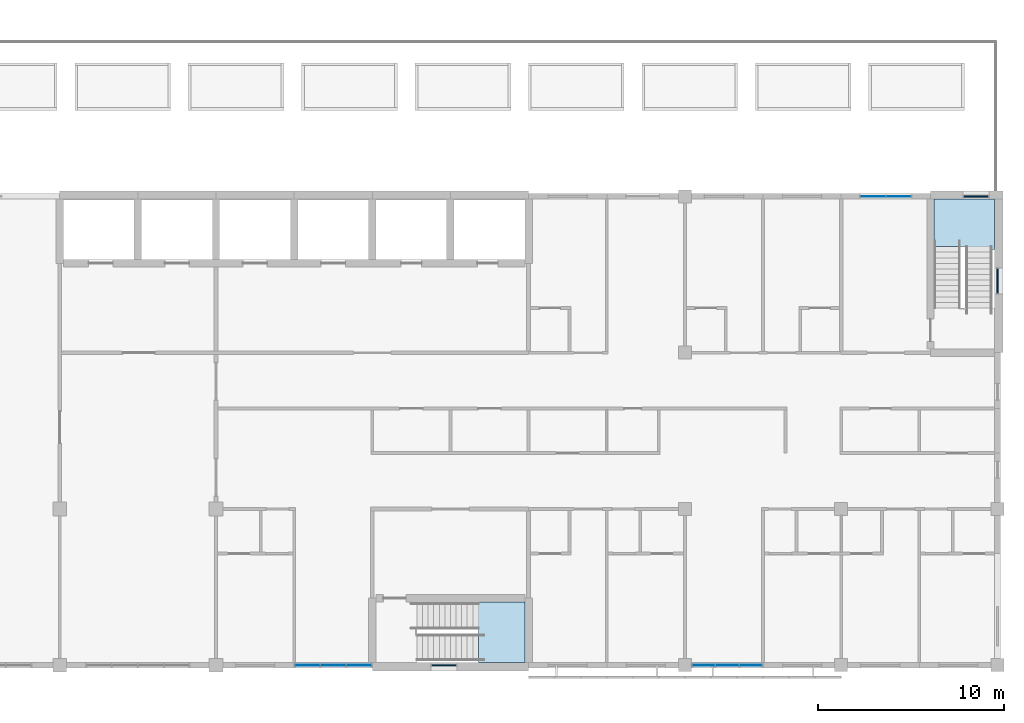
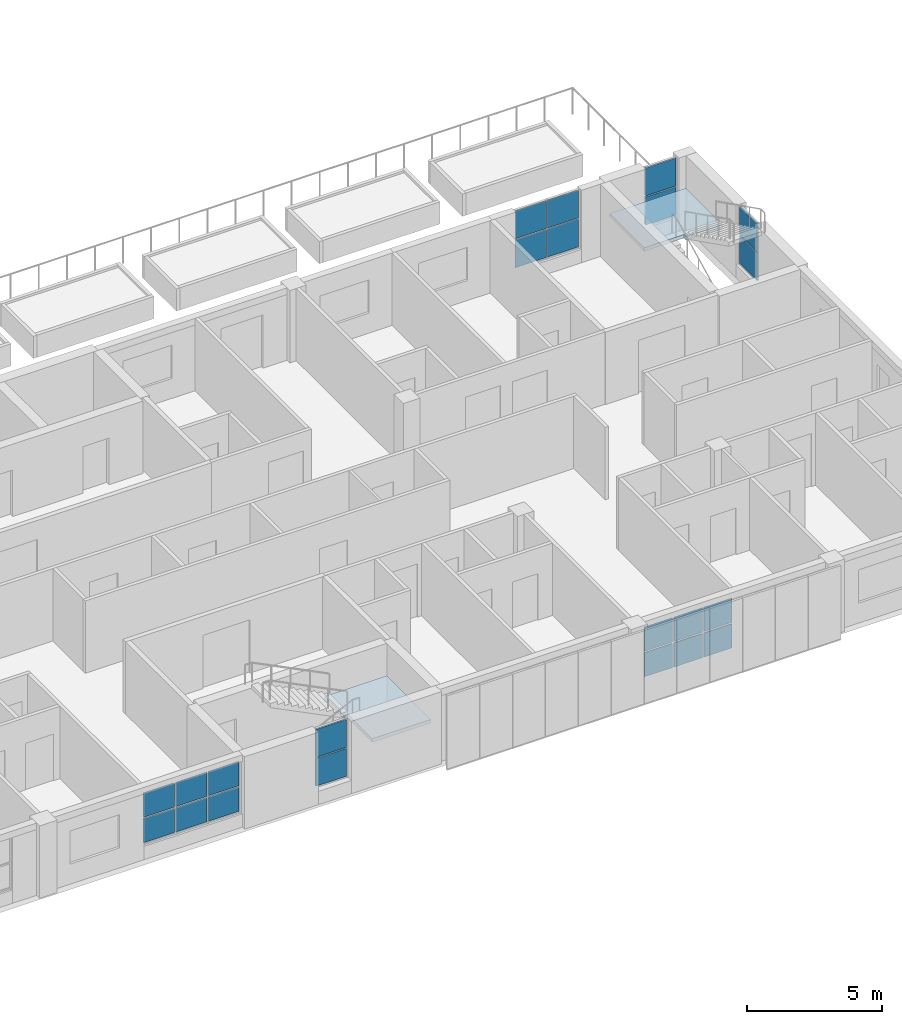
# One storey, part 26 of 61: 22 plates, 2 slabs, 8 elements without a shape of their own.
"""IFC4 building model written with IfcOpenShell, lengths in metres."""

from ifc_helpers import new_model, si_unit, direction, frame, origin, origin_2d, place, context, subcontext, project, spatial, polyline, rectangle, outline, extrude, material, layer, layer_set, type_object, element, aggregate, save


model = new_model("IFC4")

# Units and contexts
model_context = context("Model", 3, precision=1e-05, world=origin(), true_north=direction((0.0, 1.0)))
body_context = subcontext(model_context, "Body", "Model", "MODEL_VIEW")
ifc_project = project(units=[si_unit("LENGTHUNIT", "METRE"), si_unit("AREAUNIT", "SQUARE_METRE"), si_unit("VOLUMEUNIT", "CUBIC_METRE"), si_unit("PLANEANGLEUNIT", "RADIAN"), si_unit("MASSUNIT", "GRAM", prefix="KILO")], contexts=[model_context])

# Site, building, storey
site_placement = place(None, origin())
site = spatial("IfcSite", under=ifc_project, at=site_placement, CompositionType="ELEMENT")
building_placement = place(site_placement, origin())
building = spatial("IfcBuilding", under=site, at=building_placement, Name="Yavir Park General Hospital", CompositionType="ELEMENT")
storey_placement = place(building_placement, frame((0.0, 0.0, 15.300048828125)))
storey = spatial("IfcBuildingStorey", under=building, at=storey_placement, Name="L03", CompositionType="ELEMENT", Elevation=15.300048828125)

# Curtain wall, plates
ifc_material_1 = material(Name="Aluminium curtain wall frame with insulated glazing", Category="aluminium")
curtain_wall_type_1 = type_object("IfcCurtainWallType", Name="Day room pocket glazing, ward floors, 2360 high, 1400 module", PredefinedType="NOTDEFINED", material=ifc_material_1)
curtain_wall_1_placement = place(storey_placement, origin())
curtain_wall_1 = element("IfcCurtainWall", 1, at=curtain_wall_1_placement, inside=storey, type_object=curtain_wall_type_1, Name="CW6 L03-008", PredefinedType="NOTDEFINED")
ifc_material_2 = material(Name="Insulated glazed unit 30 mm, low-e coating")
ifc_layer_1 = layer(ifc_material_2, 0.030029296875)
ifc_layer_set_1 = layer_set([ifc_layer_1], Name="Insulated glazed unit 30 mm, low-e coating")
plate_type_1 = type_object("IfcPlateType", Name="Day room pocket glazing, ward floors, 2360 high panel 30", PredefinedType="CURTAIN_PANEL", material=ifc_layer_set_1)
plate_1_placement = place(storey_placement, frame((130.9150390625, 0.0, 0.65966796875), z_axis=(0.0, 0.0, 1.0), x_axis=(1.0, 0.0, 0.0)))
plate_1 = element("IfcPlate", 2, at=plate_1_placement, type_object=plate_type_1, Name="CW6 panel 1.1", PredefinedType="CURTAIN_PANEL", context=body_context, shape_type="SweptSolid", body=[
    extrude(rectangle(XDim=1.31005859375, YDim=0.030029296875, at=origin_2d()), origin(), (0.0, 0.0, 1.0), 1.090087890625),
])
plate_2_placement = place(storey_placement, frame((130.9150390625, 0.0, 1.81005859375), z_axis=(0.0, 0.0, 1.0), x_axis=(1.0, 0.0, 0.0)))
plate_2 = element("IfcPlate", 3, at=plate_2_placement, type_object=plate_type_1, Name="CW6 panel 1.2", PredefinedType="CURTAIN_PANEL", context=body_context, shape_type="SweptSolid", body=[
    extrude(rectangle(XDim=1.31005859375, YDim=0.030029296875, at=origin_2d()), origin(), (0.0, 0.0, 1.0), 1.090087890625),
])
plate_3_placement = place(storey_placement, frame((132.300048828125, 0.0, 0.65966796875), z_axis=(0.0, 0.0, 1.0), x_axis=(1.0, 0.0, 0.0)))
plate_3 = element("IfcPlate", 4, at=plate_3_placement, type_object=plate_type_1, Name="CW6 panel 2.1", PredefinedType="CURTAIN_PANEL", context=body_context, shape_type="SweptSolid", body=[
    extrude(rectangle(XDim=1.340087890625, YDim=0.030029296875, at=origin_2d()), origin(), (0.0, 0.0, 1.0), 1.090087890625),
])
plate_4_placement = place(storey_placement, frame((132.300048828125, 0.0, 1.81005859375), z_axis=(0.0, 0.0, 1.0), x_axis=(1.0, 0.0, 0.0)))
plate_4 = element("IfcPlate", 5, at=plate_4_placement, type_object=plate_type_1, Name="CW6 panel 2.2", PredefinedType="CURTAIN_PANEL", context=body_context, shape_type="SweptSolid", body=[
    extrude(rectangle(XDim=1.340087890625, YDim=0.030029296875, at=origin_2d()), origin(), (0.0, 0.0, 1.0), 1.090087890625),
])
plate_5_placement = place(storey_placement, frame((133.68505859375, 0.0, 0.65966796875), z_axis=(0.0, 0.0, 1.0), x_axis=(1.0, 0.0, 0.0)))
plate_5 = element("IfcPlate", 6, at=plate_5_placement, type_object=plate_type_1, Name="CW6 panel 3.1", PredefinedType="CURTAIN_PANEL", context=body_context, shape_type="SweptSolid", body=[
    extrude(rectangle(XDim=1.31005859375, YDim=0.030029296875, at=origin_2d()), origin(), (0.0, 0.0, 1.0), 1.090087890625),
])
plate_6_placement = place(storey_placement, frame((133.68505859375, 0.0, 1.81005859375), z_axis=(0.0, 0.0, 1.0), x_axis=(1.0, 0.0, 0.0)))
plate_6 = element("IfcPlate", 7, at=plate_6_placement, type_object=plate_type_1, Name="CW6 panel 3.2", PredefinedType="CURTAIN_PANEL", context=body_context, shape_type="SweptSolid", body=[
    extrude(rectangle(XDim=1.31005859375, YDim=0.030029296875, at=origin_2d()), origin(), (0.0, 0.0, 1.0), 1.090087890625),
])
aggregate(curtain_wall_1, [plate_1, plate_2, plate_3, plate_4, plate_5, plate_6])

curtain_wall_2_placement = place(storey_placement, origin())
curtain_wall_2 = element("IfcCurtainWall", 8, at=curtain_wall_2_placement, inside=storey, type_object=curtain_wall_type_1, Name="CW6 L03-010", PredefinedType="NOTDEFINED")
plate_7_placement = place(storey_placement, frame((152.206787109375, 0.0, 0.65966796875), z_axis=(0.0, 0.0, 1.0), x_axis=(1.0, 0.0, 0.0)))
plate_7 = element("IfcPlate", 9, at=plate_7_placement, type_object=plate_type_1, Name="CW6 panel 1.1", PredefinedType="CURTAIN_PANEL", context=body_context, shape_type="SweptSolid", body=[
    extrude(rectangle(XDim=1.193359375, YDim=0.030029296875, at=origin_2d()), origin(), (0.0, 0.0, 1.0), 1.090087890625),
])
plate_8_placement = place(storey_placement, frame((152.206787109375, 0.0, 1.81005859375), z_axis=(0.0, 0.0, 1.0), x_axis=(1.0, 0.0, 0.0)))
plate_8 = element("IfcPlate", 10, at=plate_8_placement, type_object=plate_type_1, Name="CW6 panel 1.2", PredefinedType="CURTAIN_PANEL", context=body_context, shape_type="SweptSolid", body=[
    extrude(rectangle(XDim=1.193359375, YDim=0.030029296875, at=origin_2d()), origin(), (0.0, 0.0, 1.0), 1.090087890625),
])
plate_9_placement = place(storey_placement, frame((153.47509765625, 0.0, 0.65966796875), z_axis=(0.0, 0.0, 1.0), x_axis=(1.0, 0.0, 0.0)))
plate_9 = element("IfcPlate", 11, at=plate_9_placement, type_object=plate_type_1, Name="CW6 panel 2.1", PredefinedType="CURTAIN_PANEL", context=body_context, shape_type="SweptSolid", body=[
    extrude(rectangle(XDim=1.223388671875, YDim=0.030029296875, at=origin_2d()), origin(), (0.0, 0.0, 1.0), 1.090087890625),
])
plate_10_placement = place(storey_placement, frame((153.47509765625, 0.0, 1.81005859375), z_axis=(0.0, 0.0, 1.0), x_axis=(1.0, 0.0, 0.0)))
plate_10 = element("IfcPlate", 12, at=plate_10_placement, type_object=plate_type_1, Name="CW6 panel 2.2", PredefinedType="CURTAIN_PANEL", context=body_context, shape_type="SweptSolid", body=[
    extrude(rectangle(XDim=1.223388671875, YDim=0.030029296875, at=origin_2d()), origin(), (0.0, 0.0, 1.0), 1.090087890625),
])
plate_11_placement = place(storey_placement, frame((154.743408203125, 0.0, 0.65966796875), z_axis=(0.0, 0.0, 1.0), x_axis=(1.0, 0.0, 0.0)))
plate_11 = element("IfcPlate", 13, at=plate_11_placement, type_object=plate_type_1, Name="CW6 panel 3.1", PredefinedType="CURTAIN_PANEL", context=body_context, shape_type="SweptSolid", body=[
    extrude(rectangle(XDim=1.193359375, YDim=0.030029296875, at=origin_2d()), origin(), (0.0, 0.0, 1.0), 1.090087890625),
])
plate_12_placement = place(storey_placement, frame((154.743408203125, 0.0, 1.81005859375), z_axis=(0.0, 0.0, 1.0), x_axis=(1.0, 0.0, 0.0)))
plate_12 = element("IfcPlate", 14, at=plate_12_placement, type_object=plate_type_1, Name="CW6 panel 3.2", PredefinedType="CURTAIN_PANEL", context=body_context, shape_type="SweptSolid", body=[
    extrude(rectangle(XDim=1.193359375, YDim=0.030029296875, at=origin_2d()), origin(), (0.0, 0.0, 1.0), 1.090087890625),
])
aggregate(curtain_wall_2, [plate_7, plate_8, plate_9, plate_10, plate_11, plate_12])

# Stair, slab
ifc_material_3 = material(Name="Concrete C30/37", Category="concrete")
stair_type = type_object("IfcStairType", Name="Patient escape stair, 24 risers of 150 mm, 1400 mm flights", PredefinedType="HALF_TURN_STAIR", material=ifc_material_3)
stair_1_placement = place(storey_placement, origin())
stair_1 = element("IfcStair", 15, at=stair_1_placement, inside=storey, type_object=stair_type, Name="Stair SU5, L03 to L04", PredefinedType="HALF_TURN_STAIR")
ifc_material_4 = material(Name="Concrete C30/37", Category="concrete")
ifc_layer_2 = layer(ifc_material_4, 0.159912109375)
ifc_layer_set_2 = layer_set([ifc_layer_2], Name="Concrete C30/37")
slab_type = type_object("IfcSlabType", Name="Patient escape stair half landing, reinforced concrete 160 mm", PredefinedType="LANDING", material=ifc_layer_set_2)
slab_1_placement = place(storey_placement, frame((0.0, 0.0, 1.639892578125)))
slab_1 = element("IfcSlab", 16, at=slab_1_placement, type_object=slab_type, Name="SU5 landing 1", PredefinedType="LANDING", context=body_context, shape_type="SweptSolid", body=[
    extrude(outline(polyline([(140.098388671875, 0.14990234375), (142.60009765625, 0.14990234375), (142.60009765625, 3.39990234375), (139.949951171875, 3.39990234375), (139.949951171875, 1.949951171875), (140.098388671875, 1.949951171875), (140.098388671875, 0.14990234375)])), origin(), (0.0, 0.0, 1.0), 0.16015625),
])
aggregate(stair_1, [slab_1])

stair_2_placement = place(storey_placement, origin())
stair_2 = element("IfcStair", 17, at=stair_2_placement, inside=storey, type_object=stair_type, Name="Stair SU6, L03 to L04", PredefinedType="HALF_TURN_STAIR")
slab_2_placement = place(storey_placement, frame((0.0, 0.0, 1.639892578125)))
slab_2 = element("IfcSlab", 18, at=slab_2_placement, type_object=slab_type, Name="SU6 landing 1", PredefinedType="LANDING", context=body_context, shape_type="SweptSolid", body=[
    extrude(outline(polyline([(164.60009765625, 22.49853515625), (164.60009765625, 25.050048828125), (167.85009765625, 25.050048828125), (167.85009765625, 22.35009765625), (166.300048828125, 22.35009765625), (166.300048828125, 22.49853515625), (164.60009765625, 22.49853515625)])), origin(), (0.0, 0.0, 1.0), 0.16015625),
])
aggregate(stair_2, [slab_2])

# Curtain wall, plates
ifc_material_5 = material(Name="Aluminium curtain wall frame with insulated glazing", Category="aluminium")
curtain_wall_type_2 = type_object("IfcCurtainWallType", Name="Stair light slot, ward floors, 2660 high, 1400 module", PredefinedType="NOTDEFINED", material=ifc_material_5)
curtain_wall_3_placement = place(storey_placement, origin())
curtain_wall_3 = element("IfcCurtainWall", 19, at=curtain_wall_3_placement, inside=storey, type_object=curtain_wall_type_2, Name="CW10 L03-009", PredefinedType="NOTDEFINED")
ifc_material_6 = material(Name="Fire-resisting glazed unit 70 mm")
ifc_layer_3 = layer(ifc_material_6, 0.070068359375)
ifc_layer_set_3 = layer_set([ifc_layer_3], Name="Fire-resisting glazed unit 70 mm")
plate_type_2 = type_object("IfcPlateType", Name="Stair light slot, ward floors, 2660 high panel 70", PredefinedType="CURTAIN_PANEL", material=ifc_layer_set_3)
plate_13_placement = place(storey_placement, frame((138.25, 0.0, 0.64990234375), z_axis=(0.0, 0.0, 1.0), x_axis=(1.0, 0.0, 0.0)))
plate_13 = element("IfcPlate", 20, at=plate_13_placement, type_object=plate_type_2, Name="CW10 panel 1.1", PredefinedType="CURTAIN_PANEL", context=body_context, shape_type="SweptSolid", body=[
    extrude(rectangle(XDim=1.300048828125, YDim=0.070068359375, at=origin_2d()), origin(), (0.0, 0.0, 1.0), 1.2548828125),
])
plate_14_placement = place(storey_placement, frame((138.25, 0.0, 1.955078125), z_axis=(0.0, 0.0, 1.0), x_axis=(1.0, 0.0, 0.0)))
plate_14 = element("IfcPlate", 21, at=plate_14_placement, type_object=plate_type_2, Name="CW10 panel 1.2", PredefinedType="CURTAIN_PANEL", context=body_context, shape_type="SweptSolid", body=[
    extrude(rectangle(XDim=1.300048828125, YDim=0.070068359375, at=origin_2d()), origin(), (0.0, 0.0, 1.0), 1.2548828125),
])
aggregate(curtain_wall_3, [plate_13, plate_14])

curtain_wall_4_placement = place(storey_placement, origin())
curtain_wall_4 = element("IfcCurtainWall", 22, at=curtain_wall_4_placement, inside=storey, type_object=curtain_wall_type_2, Name="CW10 L03-012", PredefinedType="NOTDEFINED")
plate_15_placement = place(storey_placement, frame((166.85009765625, 25.199951171875, 0.64990234375), z_axis=(0.0, 0.0, 1.0), x_axis=(1.0, 0.0, 0.0)))
plate_15 = element("IfcPlate", 23, at=plate_15_placement, type_object=plate_type_2, Name="CW10 panel 1.1", PredefinedType="CURTAIN_PANEL", context=body_context, shape_type="SweptSolid", body=[
    extrude(rectangle(XDim=1.300048828125, YDim=0.070068359375, at=origin_2d()), origin(), (0.0, 0.0, 1.0), 1.2548828125),
])
plate_16_placement = place(storey_placement, frame((166.85009765625, 25.199951171875, 1.955078125), z_axis=(0.0, 0.0, 1.0), x_axis=(1.0, 0.0, 0.0)))
plate_16 = element("IfcPlate", 24, at=plate_16_placement, type_object=plate_type_2, Name="CW10 panel 1.2", PredefinedType="CURTAIN_PANEL", context=body_context, shape_type="SweptSolid", body=[
    extrude(rectangle(XDim=1.300048828125, YDim=0.070068359375, at=origin_2d()), origin(), (0.0, 0.0, 1.0), 1.2548828125),
])
aggregate(curtain_wall_4, [plate_15, plate_16])

curtain_wall_5_placement = place(storey_placement, origin())
curtain_wall_5 = element("IfcCurtainWall", 25, at=curtain_wall_5_placement, inside=storey, type_object=curtain_wall_type_2, Name="CW10 L03-029", PredefinedType="NOTDEFINED")
plate_17_placement = place(storey_placement, frame((168.0, 20.64990234375, 0.64990234375), z_axis=(0.0, 0.0, 1.0), x_axis=(0.0, 1.0, 0.0)))
plate_17 = element("IfcPlate", 26, at=plate_17_placement, type_object=plate_type_2, Name="CW10 panel 1.1", PredefinedType="CURTAIN_PANEL", context=body_context, shape_type="SweptSolid", body=[
    extrude(rectangle(XDim=1.300048828125, YDim=0.070068359375, at=origin_2d()), origin(), (0.0, 0.0, 1.0), 1.2548828125),
])
plate_18_placement = place(storey_placement, frame((168.0, 20.64990234375, 1.955078125), z_axis=(0.0, 0.0, 1.0), x_axis=(0.0, 1.0, 0.0)))
plate_18 = element("IfcPlate", 27, at=plate_18_placement, type_object=plate_type_2, Name="CW10 panel 1.2", PredefinedType="CURTAIN_PANEL", context=body_context, shape_type="SweptSolid", body=[
    extrude(rectangle(XDim=1.300048828125, YDim=0.070068359375, at=origin_2d()), origin(), (0.0, 0.0, 1.0), 1.2548828125),
])
aggregate(curtain_wall_5, [plate_17, plate_18])

ifc_material_7 = material(Name="Aluminium curtain wall frame with insulated glazing", Category="aluminium")
curtain_wall_type_3 = type_object("IfcCurtainWallType", Name="Ward corridor end glazing, 2660 high, 1400 module", PredefinedType="NOTDEFINED", material=ifc_material_7)
curtain_wall_6_placement = place(storey_placement, origin())
curtain_wall_6 = element("IfcCurtainWall", 28, at=curtain_wall_6_placement, inside=storey, type_object=curtain_wall_type_3, Name="CW15 L03-011", PredefinedType="NOTDEFINED")
ifc_material_8 = material(Name="Insulated glazed unit 30 mm, low-e coating")
ifc_layer_4 = layer(ifc_material_8, 0.030029296875)
ifc_layer_set_4 = layer_set([ifc_layer_4], Name="Insulated glazed unit 30 mm, low-e coating")
plate_type_3 = type_object("IfcPlateType", Name="Ward corridor end glazing, 2660 high panel 30", PredefinedType="CURTAIN_PANEL", material=ifc_layer_set_4)
plate_19_placement = place(storey_placement, frame((161.3125, 25.199951171875, 0.64990234375), z_axis=(0.0, 0.0, 1.0), x_axis=(1.0, 0.0, 0.0)))
plate_19 = element("IfcPlate", 29, at=plate_19_placement, type_object=plate_type_3, Name="CW15 panel 1.1", PredefinedType="CURTAIN_PANEL", context=body_context, shape_type="SweptSolid", body=[
    extrude(rectangle(XDim=1.324951171875, YDim=0.030029296875, at=origin_2d()), origin(), (0.0, 0.0, 1.0), 1.2548828125),
])
plate_20_placement = place(storey_placement, frame((161.3125, 25.199951171875, 1.955078125), z_axis=(0.0, 0.0, 1.0), x_axis=(1.0, 0.0, 0.0)))
plate_20 = element("IfcPlate", 30, at=plate_20_placement, type_object=plate_type_3, Name="CW15 panel 1.2", PredefinedType="CURTAIN_PANEL", context=body_context, shape_type="SweptSolid", body=[
    extrude(rectangle(XDim=1.324951171875, YDim=0.030029296875, at=origin_2d()), origin(), (0.0, 0.0, 1.0), 1.2548828125),
])
plate_21_placement = place(storey_placement, frame((162.6875, 25.199951171875, 0.64990234375), z_axis=(0.0, 0.0, 1.0), x_axis=(1.0, 0.0, 0.0)))
plate_21 = element("IfcPlate", 31, at=plate_21_placement, type_object=plate_type_3, Name="CW15 panel 2.1", PredefinedType="CURTAIN_PANEL", context=body_context, shape_type="SweptSolid", body=[
    extrude(rectangle(XDim=1.324951171875, YDim=0.030029296875, at=origin_2d()), origin(), (0.0, 0.0, 1.0), 1.2548828125),
])
plate_22_placement = place(storey_placement, frame((162.6875, 25.199951171875, 1.955078125), z_axis=(0.0, 0.0, 1.0), x_axis=(1.0, 0.0, 0.0)))
plate_22 = element("IfcPlate", 32, at=plate_22_placement, type_object=plate_type_3, Name="CW15 panel 2.2", PredefinedType="CURTAIN_PANEL", context=body_context, shape_type="SweptSolid", body=[
    extrude(rectangle(XDim=1.324951171875, YDim=0.030029296875, at=origin_2d()), origin(), (0.0, 0.0, 1.0), 1.2548828125),
])
aggregate(curtain_wall_6, [plate_19, plate_20, plate_21, plate_22])

save(model, "model.ifc")
